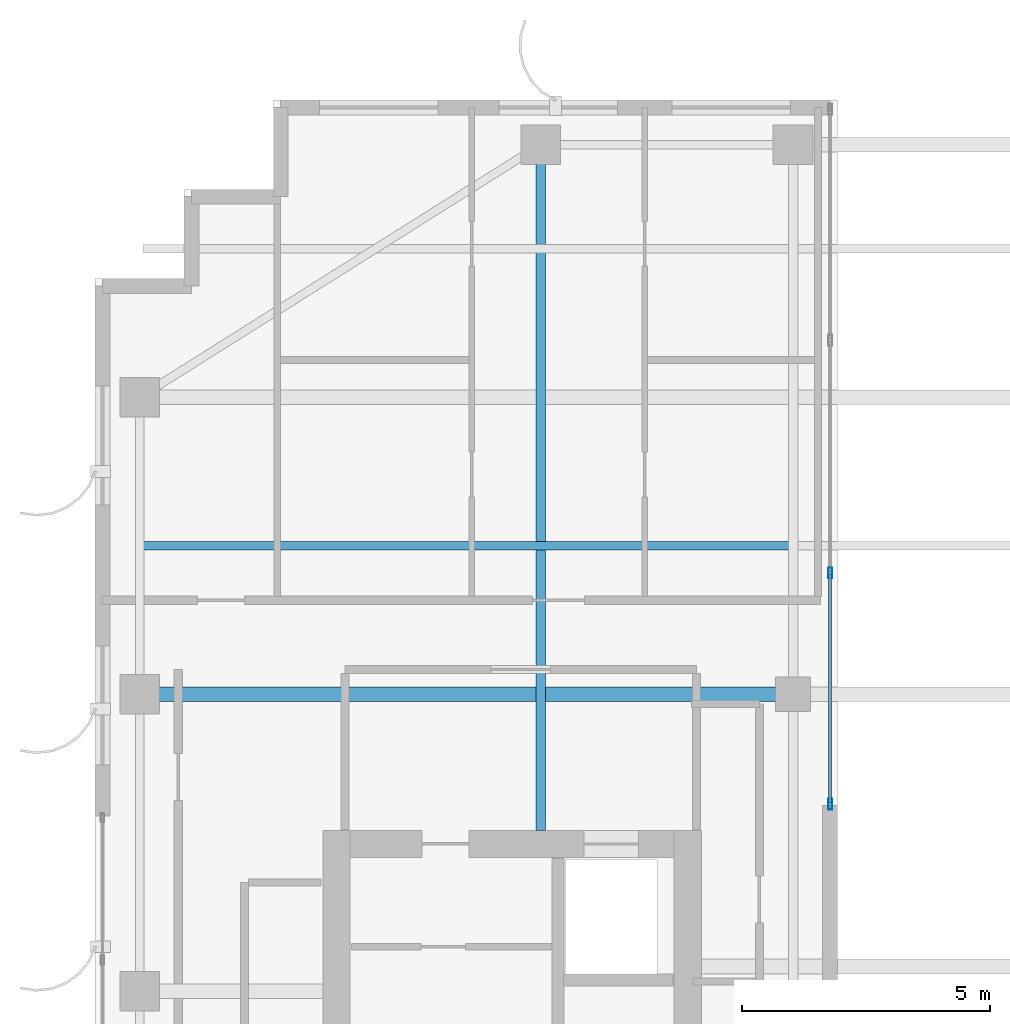
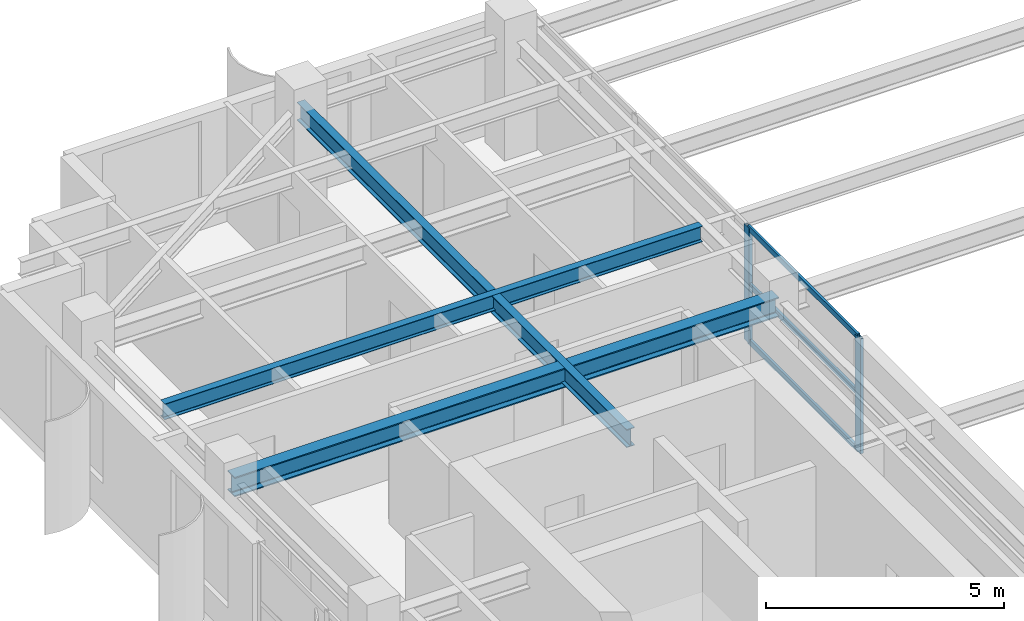
# One storey, part 10 of 25: 5 members, 3 beams, 1 element without a shape of its own.
"""IFC4 building model written with IfcOpenShell, lengths in metres."""

from ifc_helpers import new_model, si_unit, direction, frame, origin, origin_2d, place, context, subcontext, project, spatial, hollow_rectangle, i_section, extrude, source, transform, mapped, material, layer, layer_set, material_profile, profile_set, type_object, element, aggregate, save


model = new_model("IFC4")

# Units and contexts
model_context = context("Model", 3, precision=1e-05, world=origin(), true_north=direction((0.0, 1.0)))
body_context = subcontext(model_context, "Body", "Model", "MODEL_VIEW")
ifc_project = project(units=[si_unit("LENGTHUNIT", "METRE"), si_unit("AREAUNIT", "SQUARE_METRE"), si_unit("VOLUMEUNIT", "CUBIC_METRE"), si_unit("PLANEANGLEUNIT", "RADIAN"), si_unit("MASSUNIT", "GRAM", prefix="KILO")], contexts=[model_context])

# Site, building, storey
site_placement = place(None, origin())
site = spatial("IfcSite", under=ifc_project, at=site_placement, CompositionType="ELEMENT")
building_placement = place(site_placement, origin())
building = spatial("IfcBuilding", under=site, at=building_placement, Name="Khoralis Quay Care Tower", CompositionType="ELEMENT")
storey_placement = place(building_placement, frame((0.0, 0.0, 263.699951171875)))
storey = spatial("IfcBuildingStorey", under=building, at=storey_placement, Name="L69", CompositionType="ELEMENT", Elevation=263.699951171875)

# Beams
ifc_material_1 = material(Name="Steel S355", Category="steel")
ifc_material_profile_1 = material_profile(ifc_material_1, i_section(OverallWidth=0.300048828125, OverallDepth=0.5, WebThickness=0.014404296875, FlangeThickness=0.028076171875, FilletRadius=0.027099609375, at=origin_2d()), Name="Steel S355")
ifc_profile_set_1 = profile_set([ifc_material_profile_1], Name="Steel S355")
beam_type_1 = type_object("IfcBeamType", Name="BM-HEB500", PredefinedType="BEAM", material=ifc_profile_set_1)
shared_shape_1 = source(origin(), body_context, "Body", "SweptSolid", [
    extrude(i_section(OverallWidth=0.300048828125, OverallDepth=0.5, WebThickness=0.014404296875, FlangeThickness=0.028076171875, FilletRadius=0.027099609375, at=origin_2d()), origin(), (0.0, 0.0, 1.0), 13.2001953125),
])
beam_1_placement = place(storey_placement, frame((3.89990234375, 30.0, 2.699951171875), z_axis=(1.0, 0.0, 0.0), x_axis=(0.0, 1.0, 0.0)))
element("IfcBeam", 1, at=beam_1_placement, inside=storey, type_object=beam_type_1, Name="BM-TGXW-L69-300", PredefinedType="BEAM", context=body_context, shape_type="MappedRepresentation", body=[
    mapped(shared_shape_1, transform((0.0, 0.0, 0.0), scale=1.0)),
])
ifc_material_profile_2 = material_profile(ifc_material_1, i_section(OverallWidth=0.19189453125, OverallDepth=0.462890625, WebThickness=0.010498046875, FlangeThickness=0.017578125, FilletRadius=0.014892578125, at=origin_2d()), Name="Steel S355")
ifc_profile_set_2 = profile_set([ifc_material_profile_2], Name="Steel S355")
beam_type_2 = type_object("IfcBeamType", Name="BM-W460X89", PredefinedType="BEAM", material=ifc_profile_set_2)
shared_shape_2 = source(origin(), body_context, "Body", "SweptSolid", [
    extrude(i_section(OverallWidth=0.19189453125, OverallDepth=0.462890625, WebThickness=0.010498046875, FlangeThickness=0.017578125, FilletRadius=0.014892578125, at=origin_2d()), origin(), (0.0, 0.0, 1.0), 13.85205078125),
])
beam_2_placement = place(storey_placement, frame((12.0, 27.248046875, 2.718505859375), z_axis=(0.0, 1.0, 0.0), x_axis=(-1.0, 0.0, 0.0)))
element("IfcBeam", 2, at=beam_2_placement, inside=storey, type_object=beam_type_2, Name="BM-TGYN-L69-120", PredefinedType="BEAM", context=body_context, shape_type="MappedRepresentation", body=[
    mapped(shared_shape_2, transform((0.0, 0.0, 0.0), scale=1.0)),
])
ifc_material_profile_3 = material_profile(ifc_material_1, i_section(OverallWidth=0.177978515625, OverallDepth=0.406982421875, WebThickness=0.0078125, FlangeThickness=0.0126953125, FilletRadius=0.012939453125, at=origin_2d()), Name="Steel S355")
ifc_profile_set_3 = profile_set([ifc_material_profile_3], Name="Steel S355")
beam_type_3 = type_object("IfcBeamType", Name="BM-W410X60", PredefinedType="JOIST", material=ifc_profile_set_3)
shared_shape_3 = source(origin(), body_context, "Body", "SweptSolid", [
    extrude(i_section(OverallWidth=0.177978515625, OverallDepth=0.406982421875, WebThickness=0.0078125, FlangeThickness=0.0126953125, FilletRadius=0.012939453125, at=origin_2d()), origin(), (0.0, 0.0, 1.0), 13.045166015625),
])
beam_3_placement = place(storey_placement, frame((3.970947265625, 33.0, 2.74658203125), z_axis=(1.0, 0.0, 0.0), x_axis=(0.0, 1.0, 0.0)))
element("IfcBeam", 3, at=beam_3_placement, inside=storey, type_object=beam_type_3, Name="BM-TJS-L69-22", PredefinedType="JOIST", context=body_context, shape_type="MappedRepresentation", body=[
    mapped(shared_shape_3, transform((0.0, 0.0, 0.0), scale=1.0)),
])

# Curtain wall, members
ifc_material_2 = material(Name="Pale anodised aluminium", Category="aluminium")
ifc_layer = layer(ifc_material_2, 0.18994140625)
ifc_layer_set = layer_set([ifc_layer], Name="Pale anodised aluminium")
curtain_wall_type = type_object("IfcCurtainWallType", Name="CW-SYS-PORTAL", PredefinedType="NOTDEFINED", material=ifc_layer_set)
curtain_wall_placement = place(storey_placement, origin())
curtain_wall = element("IfcCurtainWall", 4, at=curtain_wall_placement, inside=storey, type_object=curtain_wall_type, Name="L69 Unitised Curtain Wall CW-VP-L69-P1-N", PredefinedType="NOTDEFINED")
ifc_material_profile_4 = material_profile(ifc_material_2, hollow_rectangle(XDim=0.06005859375, YDim=0.139892578125, WallThickness=0.00390625, at=origin_2d()), Name="Pale anodised aluminium")
ifc_profile_set_4 = profile_set([ifc_material_profile_4], Name="Pale anodised aluminium")
member_type_1 = type_object("IfcMemberType", Name="CW-TRN-140", PredefinedType="USERDEFINED", material=ifc_profile_set_4)
shared_shape_4 = source(origin(), body_context, "Body", "SweptSolid", [
    extrude(hollow_rectangle(XDim=0.06005859375, YDim=0.139892578125, WallThickness=0.00390625, at=origin_2d()), origin(), (0.0, 0.0, 1.0), 4.60986328125),
])
member_1_placement = place(storey_placement, frame((17.85009765625, 27.81005859375, 0.030029296875), z_axis=(0.0, 1.0, 0.0), x_axis=(-1.0, 0.0, 0.0)))
member_1 = element("IfcMember", 5, at=member_1_placement, type_object=member_type_1, Name="CW4 transom 1.1", ObjectType="TRANSOM", PredefinedType="USERDEFINED", context=body_context, shape_type="MappedRepresentation", body=[
    mapped(shared_shape_4, transform((0.0, 0.0, 0.0), scale=1.0)),
])
member_2_placement = place(storey_placement, frame((17.85009765625, 27.81005859375, 1.47509765625), z_axis=(0.0, 1.0, 0.0), x_axis=(-1.0, 0.0, 0.0)))
member_2 = element("IfcMember", 6, at=member_2_placement, type_object=member_type_1, Name="CW4 transom 1.2", ObjectType="TRANSOM", PredefinedType="USERDEFINED", context=body_context, shape_type="MappedRepresentation", body=[
    mapped(shared_shape_4, transform((0.0, 0.0, 0.0), scale=1.0)),
])
member_3_placement = place(storey_placement, frame((17.85009765625, 27.81005859375, 2.920166015625), z_axis=(0.0, 1.0, 0.0), x_axis=(-1.0, 0.0, 0.0)))
member_3 = element("IfcMember", 7, at=member_3_placement, type_object=member_type_1, Name="CW4 transom 1.3", ObjectType="TRANSOM", PredefinedType="USERDEFINED", context=body_context, shape_type="MappedRepresentation", body=[
    mapped(shared_shape_4, transform((0.0, 0.0, 0.0), scale=1.0)),
])
ifc_material_profile_5 = material_profile(ifc_material_2, hollow_rectangle(XDim=0.074951171875, YDim=0.219970703125, WallThickness=0.00390625, at=origin_2d()), Name="Pale anodised aluminium")
ifc_profile_set_5 = profile_set([ifc_material_profile_5], Name="Pale anodised aluminium")
member_type_2 = type_object("IfcMemberType", Name="CW-MUL-220", PredefinedType="MULLION", material=ifc_profile_set_5)
shared_shape_5 = source(origin(), body_context, "Body", "SweptSolid", [
    extrude(hollow_rectangle(XDim=0.074951171875, YDim=0.219970703125, WallThickness=0.00390625, at=origin_2d()), origin(), (0.0, 0.0, 1.0), 2.949951171875),
])
member_4_placement = place(storey_placement, frame((17.85009765625, 27.780029296875, 0.0), z_axis=(0.0, 0.0, 1.0), x_axis=(-1.0, 0.0, 0.0)))
member_4 = element("IfcMember", 8, at=member_4_placement, type_object=member_type_2, Name="CW4 mullion 1", PredefinedType="MULLION", context=body_context, shape_type="MappedRepresentation", body=[
    mapped(shared_shape_5, transform((0.0, 0.0, 0.0), scale=1.0)),
])
member_5_placement = place(storey_placement, frame((17.85009765625, 32.449951171875, 0.0), z_axis=(0.0, 0.0, 1.0), x_axis=(-1.0, 0.0, 0.0)))
member_5 = element("IfcMember", 9, at=member_5_placement, type_object=member_type_2, Name="CW4 mullion 2", PredefinedType="MULLION", context=body_context, shape_type="MappedRepresentation", body=[
    mapped(shared_shape_5, transform((0.0, 0.0, 0.0), scale=1.0)),
])
aggregate(curtain_wall, [member_4, member_5, member_1, member_2, member_3])

save(model, "model.ifc")
